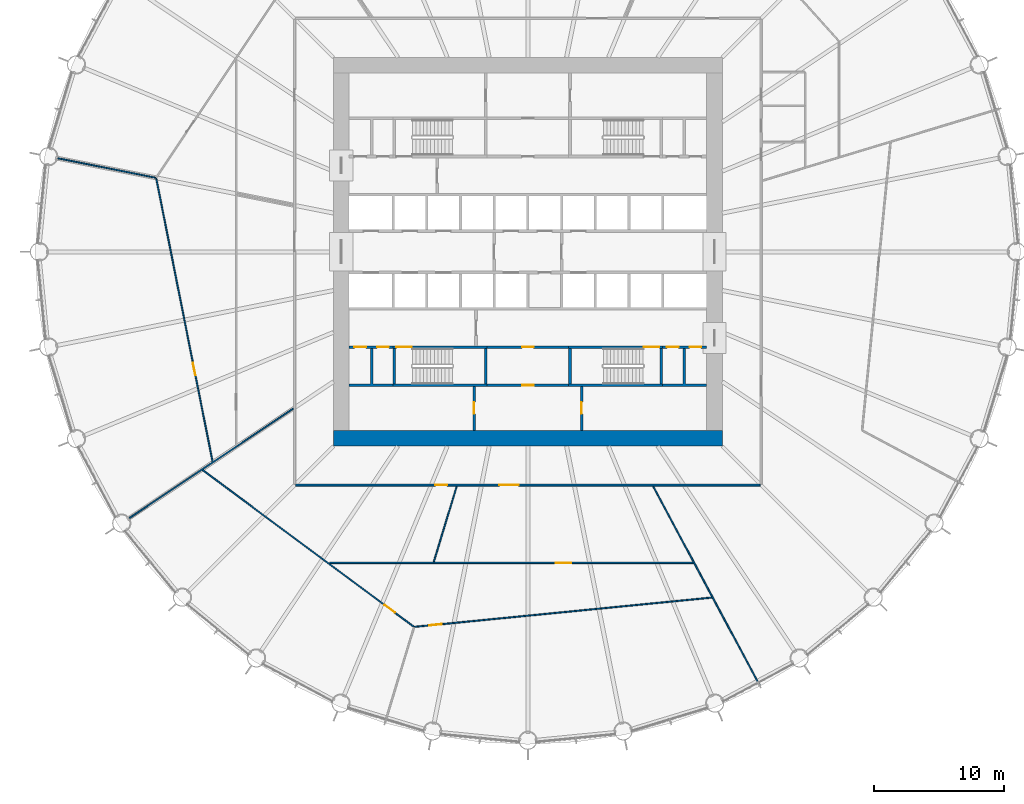
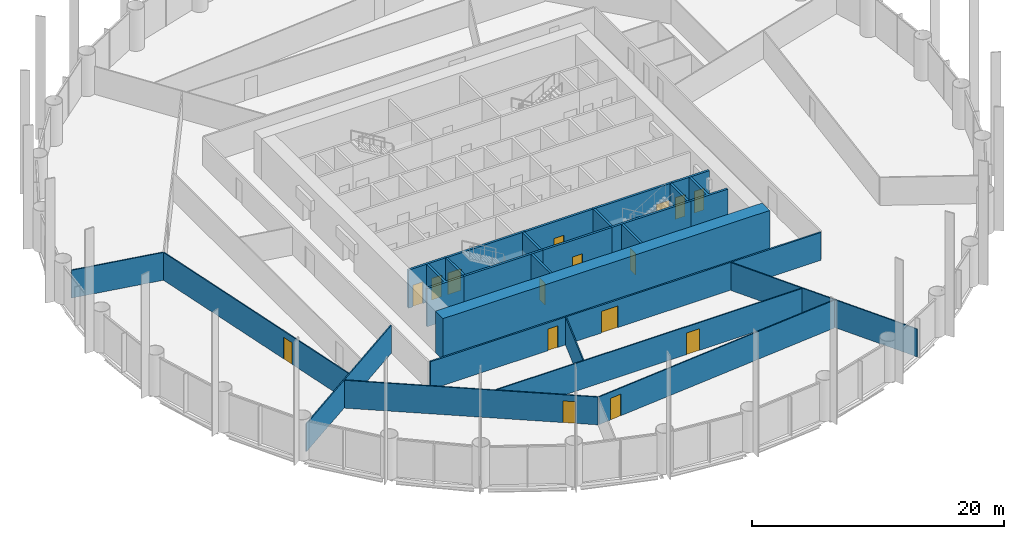
# One storey, part 9 of 14: 26 walls, 16 doors, 16 openings.
"""IFC4 building model written with IfcOpenShell, lengths in metres."""

import ifcopenshell
import ifcopenshell.guid

model = None  # the IFC model being written
_history = None  # IfcOwnerHistory: only IFC2X3 demands one
_inside = {}  # id of a spatial element -> (the spatial element, [elements in it])
_under = {}  # id of a project, library or spatial element -> (it, [spatial elements below it])
_declared = {}  # id of a project -> (the project, [libraries it declares])
_typed = {}  # id of a type object -> (the type object, [elements of that type])
_made_of = {}  # id of a material, layer set ... -> (it, [elements and type objects made of it])


def new_model(schema):
    """Start an empty IFC model of exactly this schema.

    Asked for "IFC4X3", IfcOpenShell would pick the latest addendum, in which some entities
    have other attributes; the version numbers below select the first issue.
    IFC2X3 requires an IfcOwnerHistory on every rooted entity: one is made here for all.
    """
    global model, _history
    if schema == "IFC4X3":
        model = ifcopenshell.file(schema_version=(4, 3, 0, 0))
    else:
        model = ifcopenshell.file(schema=schema)
    _inside.clear()
    _under.clear()
    _declared.clear()
    _typed.clear()
    _made_of.clear()
    _history = None
    if model.schema == "IFC2X3":
        org = make("IfcOrganization", Name="unknown")
        user = make(
            "IfcPersonAndOrganization",
            ThePerson=make("IfcPerson", FamilyName="unknown"),
            TheOrganization=org,
        )
        app = make(
            "IfcApplication",
            ApplicationDeveloper=org,
            Version="unknown",
            ApplicationFullName="unknown",
            ApplicationIdentifier="unknown",
        )
        _history = make(
            "IfcOwnerHistory",
            OwningUser=user,
            OwningApplication=app,
            ChangeAction="ADDED",
            CreationDate=0,
        )
    return model


def make(cls, **values):
    """One entity of the class cls with the attributes given. An attribute that is None is left unset."""
    return model.create_entity(
        cls, **{name: value for name, value in values.items() if value is not None}
    )


def rooted(cls, **values):
    """An entity with a GlobalId (a new one), such as an element, a storey or a relation."""
    return make(cls, GlobalId=ifcopenshell.guid.new(), OwnerHistory=_history, **values)


def si_unit(unit_type, name, prefix=None):
    """IfcSIUnit, for example si_unit("LENGTHUNIT", "METRE", prefix="MILLI")."""
    return make("IfcSIUnit", UnitType=unit_type, Prefix=prefix, Name=name)


def assignment(units):
    """IfcUnitAssignment: the units of a project."""
    return None if units is None else make("IfcUnitAssignment", Units=units)


def point(xyz):
    """IfcCartesianPoint."""
    return None if xyz is None else make("IfcCartesianPoint", Coordinates=xyz)


def direction(xyz):
    """IfcDirection."""
    return None if xyz is None else make("IfcDirection", DirectionRatios=xyz)


def frame(location, z_axis=None, x_axis=None):
    """IfcAxis2Placement3D, a coordinate frame: its origin and axes. An axis left out is left unset."""
    return make(
        "IfcAxis2Placement3D",
        Location=point(location),
        Axis=direction(z_axis),
        RefDirection=direction(x_axis),
    )


def frame_2d(location, x_axis=None):
    """IfcAxis2Placement2D, a coordinate frame in the plane: its origin and x axis."""
    return make(
        "IfcAxis2Placement2D", Location=point(location), RefDirection=direction(x_axis)
    )


def origin():
    """The frame at (0, 0, 0) with its axes left unset."""
    return frame((0.0, 0.0, 0.0))


def place(relative_to, where):
    """IfcLocalPlacement: puts the frame where relative to a parent placement (None: the world)."""
    return make(
        "IfcLocalPlacement", PlacementRelTo=relative_to, RelativePlacement=where
    )


def context(
    kind, dimensions, precision=None, world=None, true_north=None, identifier=None
):
    """IfcGeometricRepresentationContext, for example the 3D "Model" context."""
    return make(
        "IfcGeometricRepresentationContext",
        ContextIdentifier=identifier,
        ContextType=kind,
        CoordinateSpaceDimension=dimensions,
        Precision=precision,
        WorldCoordinateSystem=world,
        TrueNorth=true_north,
    )


def subcontext(parent, identifier, kind, view, scale=None):
    """IfcGeometricRepresentationSubContext, for example "Body" below "Model"."""
    return make(
        "IfcGeometricRepresentationSubContext",
        ContextIdentifier=identifier,
        ContextType=kind,
        ParentContext=parent,
        TargetScale=scale,
        TargetView=view,
    )


def project(units=None, contexts=None):
    """IfcProject with its units and contexts."""
    return rooted(
        "IfcProject",
        Name="project",
        RepresentationContexts=contexts,
        UnitsInContext=assignment(units),
    )


def spatial(cls, under=None, at=None, **own):
    """A site, building, storey or space (cls), placed at a placement, below another one or the project."""
    s = rooted(cls, ObjectPlacement=at, **own)
    if under is not None:
        _under.setdefault(under.id(), (under, []))[1].append(s)
    return s


def polyline(points):
    """IfcPolyline through the points."""
    return make("IfcPolyline", Points=[point(p) for p in points])


def profile(cls, at=None, kind="AREA", **sizes):
    """A parametric profile (cls). Its sizes go by their IFC names, for example OverallWidth=200.0."""
    return make(cls, ProfileType=kind, Position=at, **sizes)


def rectangle(**sizes):
    """IfcRectangleProfileDef."""
    return profile("IfcRectangleProfileDef", **sizes)


def outline(outer, holes=None, kind="AREA"):
    """IfcArbitraryClosedProfileDef: a profile drawn as a closed curve; with holes, ...WithVoids."""
    if holes is None:
        return make("IfcArbitraryClosedProfileDef", ProfileType=kind, OuterCurve=outer)
    return make(
        "IfcArbitraryProfileDefWithVoids",
        ProfileType=kind,
        OuterCurve=outer,
        InnerCurves=holes,
    )


def extrude(swept, where, along, depth):
    """IfcExtrudedAreaSolid: the profile swept, set in the frame where, extruded along a direction by depth."""
    return make(
        "IfcExtrudedAreaSolid",
        SweptArea=swept,
        Position=where,
        ExtrudedDirection=direction(along),
        Depth=depth,
    )


def shape(context_of_items, identifier, shape_type, items):
    """IfcShapeRepresentation: the items that make up one representation, for example the "Body"."""
    return make(
        "IfcShapeRepresentation",
        ContextOfItems=context_of_items,
        RepresentationIdentifier=identifier,
        RepresentationType=shape_type,
        Items=items,
    )


def material(Name=None, Category=None):
    """IfcMaterial."""
    return make("IfcMaterial", Name=Name, Category=Category)


def layer(
    of_material, thickness, ventilated=None, Name=None, Category=None, Priority=None
):
    """IfcMaterialLayer: one layer of a wall or slab, of a material (None: an air gap)."""
    return make(
        "IfcMaterialLayer",
        Material=of_material,
        LayerThickness=thickness,
        IsVentilated=ventilated,
        Name=Name,
        Category=Category,
        Priority=Priority,
    )


def layer_set(layers, Name=None):
    """IfcMaterialLayerSet."""
    return make("IfcMaterialLayerSet", MaterialLayers=layers, LayerSetName=Name)


def made_of(thing, what):
    """Note that an element or type object is made of a material, layer set ...; save() writes the relation."""
    if what is not None:
        _made_of.setdefault(what.id(), (what, []))[1].append(thing)
    return thing


def type_object(cls, material=None, **own):
    """A type object (cls), such as IfcWallType, which elements share."""
    return made_of(rooted(cls, **own), material)


def element(
    cls,
    number,
    at=None,
    inside=None,
    cuts=None,
    type_object=None,
    material=None,
    context=None,
    identifier="Body",
    shape_type=None,
    held_by="IfcProductDefinitionShape",
    body=None,
    shapes=None,
    **own,
):
    """One element of the class cls, such as IfcWall. Its Tag is "e" and its number.

    at: its placement. inside: the storey or other place that contains it. cuts: it is an
    opening in that element (IfcRelVoidsElement). A single representation is given by context,
    identifier, shape_type and body (its items); several are given by shapes. held_by: the class
    of the entity that holds the representations. save() writes the other relations.
    """
    e = rooted(cls, Tag="e%d" % number, ObjectPlacement=at, **own)
    if body is not None:
        shapes = [shape(context, identifier, shape_type, body)]
    if shapes is not None:
        e.Representation = make(held_by, Representations=shapes)
    if inside is not None:
        _inside.setdefault(inside.id(), (inside, []))[1].append(e)
    if cuts is not None:
        rooted(
            "IfcRelVoidsElement", RelatingBuildingElement=cuts, RelatedOpeningElement=e
        )
    if type_object is not None:
        _typed.setdefault(type_object.id(), (type_object, []))[1].append(e)
    return made_of(e, material)


def fill(opening, filler):
    """IfcRelFillsElement: the door or window that sits in an opening."""
    return rooted(
        "IfcRelFillsElement",
        RelatingOpeningElement=opening,
        RelatedBuildingElement=filler,
    )


def aggregate(whole, parts):
    """IfcRelAggregates: a whole, such as a stair, and the parts it consists of."""
    return rooted("IfcRelAggregates", RelatingObject=whole, RelatedObjects=parts)


def save(model, path):
    """Write the relations noted so far, then the file.

    IfcRelAggregates (storeys below a building ...), IfcRelContainedInSpatialStructure (elements
    in a storey), IfcRelDefinesByType, IfcRelAssociatesMaterial and IfcRelDeclares: one each for
    every whole, place, type object, material and project.
    """
    for whole, parts in _under.values():
        aggregate(whole, parts)
    for where, things in _inside.values():
        rooted(
            "IfcRelContainedInSpatialStructure",
            RelatedElements=things,
            RelatingStructure=where,
        )
    for kind, things in _typed.values():
        rooted("IfcRelDefinesByType", RelatedObjects=things, RelatingType=kind)
    for what, things in _made_of.values():
        rooted("IfcRelAssociatesMaterial", RelatedObjects=things, RelatingMaterial=what)
    for by, libraries in _declared.values():
        rooted("IfcRelDeclares", RelatingContext=by, RelatedDefinitions=libraries)
    model.write(path)


model = new_model("IFC4")

# Units and contexts
model_context = context("Model", 3, precision=1e-05, world=origin(), true_north=direction((0.0, 1.0)))
body_context = subcontext(model_context, "Body", "Model", "MODEL_VIEW")
ifc_project = project(units=[si_unit("LENGTHUNIT", "METRE"), si_unit("AREAUNIT", "SQUARE_METRE"), si_unit("VOLUMEUNIT", "CUBIC_METRE"), si_unit("PLANEANGLEUNIT", "RADIAN"), si_unit("MASSUNIT", "GRAM", prefix="KILO")], contexts=[model_context])

# Site, building, storey
site_placement = place(None, origin())
site = spatial("IfcSite", under=ifc_project, at=site_placement, CompositionType="ELEMENT")
building_placement = place(site_placement, origin())
building = spatial("IfcBuilding", under=site, at=building_placement, Name="Corvane Civic Tower", CompositionType="ELEMENT")
storey_placement = place(building_placement, frame((0.0, 0.0, 53.0)))
storey = spatial("IfcBuildingStorey", under=building, at=storey_placement, Name="L11", CompositionType="ELEMENT", Elevation=53.0)

# Wall
ifc_material_1 = material(Name="Concrete C80/95", Category="concrete")
ifc_layer_1 = layer(ifc_material_1, 1.199951171875)
ifc_layer_set_1 = layer_set([ifc_layer_1], Name="Concrete C80/95")
wall_type_1 = type_object("IfcWallType", Name="CORE WALL 1200 C80/95", PredefinedType="SHEAR", material=ifc_layer_set_1)
wall_1_placement = place(storey_placement, frame((-15.0, -14.39990234375, 0.0), z_axis=(0.0, 0.0, 1.0), x_axis=(1.0, 0.0, 0.0)))
element("IfcWall", 1, at=wall_1_placement, inside=storey, type_object=wall_type_1, Name="W-L11-core-S", PredefinedType="SHEAR", context=body_context, shape_type="SweptSolid", body=[
    extrude(rectangle(XDim=30.0, YDim=1.199951171875, at=frame_2d((15.0, 0.0))), origin(), (0.0, 0.0, 1.0), 4.0),
])

# Wall, opening, door
ifc_material_2 = material(Name="Concrete C30/37", Category="concrete")
ifc_layer_2 = layer(ifc_material_2, 0.199951171875)
ifc_layer_set_2 = layer_set([ifc_layer_2], Name="Concrete C30/37")
wall_type_2 = type_object("IfcWallType", Name="CR-WALL-200", PredefinedType="PARTITIONING", material=ifc_layer_set_2)
wall_2_placement = place(storey_placement, frame((-3.14990234375, -10.300048828125, 0.0), z_axis=(0.0, 0.0, 1.0), x_axis=(1.0, 0.0, 0.0)))
wall_2 = element("IfcWall", 2, at=wall_2_placement, inside=storey, type_object=wall_type_2, Name="L11 partition wall", PredefinedType="PARTITIONING", context=body_context, shape_type="SweptSolid", body=[
    extrude(rectangle(XDim=6.2998046875, YDim=0.199951171875, at=frame_2d((3.14990234375, 0.0))), origin(), (0.0, 0.0, 1.0), 3.699951171875),
])
opening_1_placement = place(wall_2_placement, frame((2.699951171875, 0.0, 0.0)))
opening_1 = element("IfcOpeningElement", 3, at=opening_1_placement, cuts=wall_2, Name="Opening L11.C08", PredefinedType="OPENING", context=body_context, shape_type="SweptSolid", body=[
    extrude(rectangle(XDim=0.89990234375, YDim=2.10009765625, at=frame_2d((0.449951171875, 1.050048828125))), frame((0.0, 0.10986328125, 0.0), z_axis=(0.0, -1.0, 0.0), x_axis=(1.0, 0.0, 0.0)), (0.0, 0.0, 1.0), 0.219970703125),
])
ifc_material_3 = material(Name="Steel fire door leaf", Category="steel")
door_type_1 = type_object("IfcDoorType", Name="CR-DOOR-900", OperationType="SINGLE_SWING_LEFT", PredefinedType="DOOR", material=ifc_material_3)
door_1_placement = place(opening_1_placement, origin())
door_1 = element("IfcDoor", 4, at=door_1_placement, inside=storey, type_object=door_type_1, Name="L11 door", OperationType="SINGLE_SWING_LEFT", OverallHeight=2.10009765625, OverallWidth=0.89990234375, PredefinedType="DOOR", context=body_context, shape_type="SweptSolid", body=[
    extrude(rectangle(XDim=0.89990234375, YDim=2.10009765625, at=frame_2d((0.449951171875, 1.050048828125))), frame((0.0, 0.02490234375, 0.0), z_axis=(0.0, -1.0, 0.0), x_axis=(1.0, 0.0, 0.0)), (0.0, 0.0, 1.0), 0.050048828125),
])
fill(opening_1, door_1)

# Wall, openings, doors
wall_3_placement = place(storey_placement, frame((-13.800048828125, -7.35009765625, 0.0), z_axis=(0.0, 0.0, 1.0), x_axis=(1.0, 0.0, 0.0)))
wall_3 = element("IfcWall", 5, at=wall_3_placement, inside=storey, type_object=wall_type_2, Name="L11 core partition wall", PredefinedType="PARTITIONING", context=body_context, shape_type="SweptSolid", body=[
    extrude(rectangle(XDim=3.400146484375, YDim=0.199951171875, at=frame_2d((1.7001953125, 0.0))), origin(), (0.0, 0.0, 1.0), 3.699951171875),
])
opening_2_placement = place(wall_3_placement, frame((0.425048828125, 0.0, 0.0)))
opening_2 = element("IfcOpeningElement", 6, at=opening_2_placement, cuts=wall_3, Name="Opening L11.C12", PredefinedType="OPENING", context=body_context, shape_type="SweptSolid", body=[
    extrude(rectangle(XDim=0.89990234375, YDim=2.10009765625, at=frame_2d((0.449951171875, 1.050048828125))), frame((0.0, 0.10986328125, 0.0), z_axis=(0.0, -1.0, 0.0), x_axis=(1.0, 0.0, 0.0)), (0.0, 0.0, 1.0), 0.219970703125),
])
opening_3_placement = place(wall_3_placement, frame((2.175048828125, 0.0, 0.0)))
opening_3 = element("IfcOpeningElement", 7, at=opening_3_placement, cuts=wall_3, Name="Opening L11.C13", PredefinedType="OPENING", context=body_context, shape_type="SweptSolid", body=[
    extrude(rectangle(XDim=0.89990234375, YDim=2.10009765625, at=frame_2d((0.449951171875, 1.050048828125))), frame((0.0, 0.10986328125, 0.0), z_axis=(0.0, -1.0, 0.0), x_axis=(1.0, 0.0, 0.0)), (0.0, 0.0, 1.0), 0.219970703125),
])
door_2_placement = place(opening_2_placement, origin())
door_2 = element("IfcDoor", 8, at=door_2_placement, inside=storey, type_object=door_type_1, Name="L11 door", OperationType="SINGLE_SWING_LEFT", OverallHeight=2.10009765625, OverallWidth=0.89990234375, PredefinedType="DOOR", context=body_context, shape_type="SweptSolid", body=[
    extrude(rectangle(XDim=0.89990234375, YDim=2.10009765625, at=frame_2d((0.449951171875, 1.050048828125))), frame((0.0, 0.02490234375, 0.0), z_axis=(0.0, -1.0, 0.0), x_axis=(1.0, 0.0, 0.0)), (0.0, 0.0, 1.0), 0.050048828125),
])
fill(opening_2, door_2)
door_3_placement = place(opening_3_placement, origin())
door_3 = element("IfcDoor", 9, at=door_3_placement, inside=storey, type_object=door_type_1, Name="L11 door", OperationType="SINGLE_SWING_LEFT", OverallHeight=2.10009765625, OverallWidth=0.89990234375, PredefinedType="DOOR", context=body_context, shape_type="SweptSolid", body=[
    extrude(rectangle(XDim=0.89990234375, YDim=2.10009765625, at=frame_2d((0.449951171875, 1.050048828125))), frame((0.0, 0.02490234375, 0.0), z_axis=(0.0, -1.0, 0.0), x_axis=(1.0, 0.0, 0.0)), (0.0, 0.0, 1.0), 0.050048828125),
])
fill(opening_3, door_3)

# Wall, opening, door
wall_4_placement = place(storey_placement, frame((-3.14990234375, -7.35009765625, 0.0), z_axis=(0.0, 0.0, 1.0), x_axis=(1.0, 0.0, 0.0)))
wall_4 = element("IfcWall", 10, at=wall_4_placement, inside=storey, type_object=wall_type_2, Name="L11 core partition wall", PredefinedType="PARTITIONING", context=body_context, shape_type="SweptSolid", body=[
    extrude(rectangle(XDim=6.2998046875, YDim=0.199951171875, at=frame_2d((3.14990234375, 0.0))), origin(), (0.0, 0.0, 1.0), 3.699951171875),
])
opening_4_placement = place(wall_4_placement, frame((2.699951171875, 0.0, 0.0)))
opening_4 = element("IfcOpeningElement", 11, at=opening_4_placement, cuts=wall_4, Name="Opening L11.C03", PredefinedType="OPENING", context=body_context, shape_type="SweptSolid", body=[
    extrude(rectangle(XDim=0.89990234375, YDim=2.10009765625, at=frame_2d((0.449951171875, 1.050048828125))), frame((0.0, 0.10986328125, 0.0), z_axis=(0.0, -1.0, 0.0), x_axis=(1.0, 0.0, 0.0)), (0.0, 0.0, 1.0), 0.219970703125),
])
door_4_placement = place(opening_4_placement, origin())
door_4 = element("IfcDoor", 12, at=door_4_placement, inside=storey, type_object=door_type_1, Name="L11 door", OperationType="SINGLE_SWING_LEFT", OverallHeight=2.10009765625, OverallWidth=0.89990234375, PredefinedType="DOOR", context=body_context, shape_type="SweptSolid", body=[
    extrude(rectangle(XDim=0.89990234375, YDim=2.10009765625, at=frame_2d((0.449951171875, 1.050048828125))), frame((0.0, 0.02490234375, 0.0), z_axis=(0.0, -1.0, 0.0), x_axis=(1.0, 0.0, 0.0)), (0.0, 0.0, 1.0), 0.050048828125),
])
fill(opening_4, door_4)

# Wall, openings, doors
wall_5_placement = place(storey_placement, frame((10.39990234375, -7.35009765625, 0.0), z_axis=(0.0, 0.0, 1.0), x_axis=(1.0, 0.0, 0.0)))
wall_5 = element("IfcWall", 13, at=wall_5_placement, inside=storey, type_object=wall_type_2, Name="L11 core partition wall", PredefinedType="PARTITIONING", context=body_context, shape_type="SweptSolid", body=[
    extrude(rectangle(XDim=3.400146484375, YDim=0.199951171875, at=frame_2d((1.7001953125, 0.0))), origin(), (0.0, 0.0, 1.0), 3.699951171875),
])
opening_5_placement = place(wall_5_placement, frame((0.324951171875, 0.0, 0.0)))
opening_5 = element("IfcOpeningElement", 14, at=opening_5_placement, cuts=wall_5, Name="Opening L11.C16", PredefinedType="OPENING", context=body_context, shape_type="SweptSolid", body=[
    extrude(rectangle(XDim=0.89990234375, YDim=2.10009765625, at=frame_2d((0.449951171875, 1.050048828125))), frame((0.0, 0.10986328125, 0.0), z_axis=(0.0, -1.0, 0.0), x_axis=(1.0, 0.0, 0.0)), (0.0, 0.0, 1.0), 0.219970703125),
])
opening_6_placement = place(wall_5_placement, frame((2.074951171875, 0.0, 0.0)))
opening_6 = element("IfcOpeningElement", 15, at=opening_6_placement, cuts=wall_5, Name="Opening L11.C17", PredefinedType="OPENING", context=body_context, shape_type="SweptSolid", body=[
    extrude(rectangle(XDim=0.89990234375, YDim=2.10009765625, at=frame_2d((0.449951171875, 1.050048828125))), frame((0.0, 0.10986328125, 0.0), z_axis=(0.0, -1.0, 0.0), x_axis=(1.0, 0.0, 0.0)), (0.0, 0.0, 1.0), 0.219970703125),
])
door_5_placement = place(opening_5_placement, origin())
door_5 = element("IfcDoor", 16, at=door_5_placement, inside=storey, type_object=door_type_1, Name="L11 door", OperationType="SINGLE_SWING_LEFT", OverallHeight=2.10009765625, OverallWidth=0.89990234375, PredefinedType="DOOR", context=body_context, shape_type="SweptSolid", body=[
    extrude(rectangle(XDim=0.89990234375, YDim=2.10009765625, at=frame_2d((0.449951171875, 1.050048828125))), frame((0.0, 0.02490234375, 0.0), z_axis=(0.0, -1.0, 0.0), x_axis=(1.0, 0.0, 0.0)), (0.0, 0.0, 1.0), 0.050048828125),
])
fill(opening_5, door_5)
door_6_placement = place(opening_6_placement, origin())
door_6 = element("IfcDoor", 17, at=door_6_placement, inside=storey, type_object=door_type_1, Name="L11 door", OperationType="SINGLE_SWING_LEFT", OverallHeight=2.10009765625, OverallWidth=0.89990234375, PredefinedType="DOOR", context=body_context, shape_type="SweptSolid", body=[
    extrude(rectangle(XDim=0.89990234375, YDim=2.10009765625, at=frame_2d((0.449951171875, 1.050048828125))), frame((0.0, 0.02490234375, 0.0), z_axis=(0.0, -1.0, 0.0), x_axis=(1.0, 0.0, 0.0)), (0.0, 0.0, 1.0), 0.050048828125),
])
fill(opening_6, door_6)

# Wall, opening, door
wall_6_placement = place(storey_placement, frame((-4.14990234375, -13.800048828125, 0.0), z_axis=(0.0, 0.0, 1.0), x_axis=(0.0, 1.0, 0.0)))
wall_6 = element("IfcWall", 18, at=wall_6_placement, inside=storey, type_object=wall_type_2, Name="L11 partition wall", PredefinedType="PARTITIONING", context=body_context, shape_type="SweptSolid", body=[
    extrude(rectangle(XDim=3.400146484375, YDim=0.199951171875, at=frame_2d((1.7001953125, 0.0))), origin(), (0.0, 0.0, 1.0), 3.699951171875),
])
opening_7_placement = place(wall_6_placement, frame((1.300048828125, 0.0, 0.0)))
opening_7 = element("IfcOpeningElement", 19, at=opening_7_placement, cuts=wall_6, Name="Opening L11.C07", PredefinedType="OPENING", context=body_context, shape_type="SweptSolid", body=[
    extrude(rectangle(XDim=0.89990234375, YDim=2.10009765625, at=frame_2d((0.449951171875, 1.050048828125))), frame((0.0, 0.10986328125, 0.0), z_axis=(0.0, -1.0, 0.0), x_axis=(1.0, 0.0, 0.0)), (0.0, 0.0, 1.0), 0.219970703125),
])
door_7_placement = place(opening_7_placement, origin())
door_7 = element("IfcDoor", 20, at=door_7_placement, inside=storey, type_object=door_type_1, Name="L11 door", OperationType="SINGLE_SWING_LEFT", OverallHeight=2.10009765625, OverallWidth=0.89990234375, PredefinedType="DOOR", context=body_context, shape_type="SweptSolid", body=[
    extrude(rectangle(XDim=0.89990234375, YDim=2.10009765625, at=frame_2d((0.449951171875, 1.050048828125))), frame((0.0, 0.02490234375, 0.0), z_axis=(0.0, -1.0, 0.0), x_axis=(1.0, 0.0, 0.0)), (0.0, 0.0, 1.0), 0.050048828125),
])
fill(opening_7, door_7)

wall_7_placement = place(storey_placement, frame((4.14990234375, -13.800048828125, 0.0), z_axis=(0.0, 0.0, 1.0), x_axis=(0.0, 1.0, 0.0)))
wall_7 = element("IfcWall", 21, at=wall_7_placement, inside=storey, type_object=wall_type_2, Name="L11 partition wall", PredefinedType="PARTITIONING", context=body_context, shape_type="SweptSolid", body=[
    extrude(rectangle(XDim=3.400146484375, YDim=0.199951171875, at=frame_2d((1.7001953125, 0.0))), origin(), (0.0, 0.0, 1.0), 3.699951171875),
])
opening_8_placement = place(wall_7_placement, frame((1.300048828125, 0.0, 0.0)))
opening_8 = element("IfcOpeningElement", 22, at=opening_8_placement, cuts=wall_7, Name="Opening L11.C09", PredefinedType="OPENING", context=body_context, shape_type="SweptSolid", body=[
    extrude(rectangle(XDim=0.89990234375, YDim=2.10009765625, at=frame_2d((0.449951171875, 1.050048828125))), frame((0.0, 0.10986328125, 0.0), z_axis=(0.0, -1.0, 0.0), x_axis=(1.0, 0.0, 0.0)), (0.0, 0.0, 1.0), 0.219970703125),
])
door_8_placement = place(opening_8_placement, origin())
door_8 = element("IfcDoor", 23, at=door_8_placement, inside=storey, type_object=door_type_1, Name="L11 door", OperationType="SINGLE_SWING_LEFT", OverallHeight=2.10009765625, OverallWidth=0.89990234375, PredefinedType="DOOR", context=body_context, shape_type="SweptSolid", body=[
    extrude(rectangle(XDim=0.89990234375, YDim=2.10009765625, at=frame_2d((0.449951171875, 1.050048828125))), frame((0.0, 0.02490234375, 0.0), z_axis=(0.0, -1.0, 0.0), x_axis=(1.0, 0.0, 0.0)), (0.0, 0.0, 1.0), 0.050048828125),
])
fill(opening_8, door_8)

# Walls
wall_8_placement = place(storey_placement, origin())
element("IfcWall", 24, at=wall_8_placement, inside=storey, type_object=wall_type_2, Name="L11 core partition wall", PredefinedType="PARTITIONING", context=body_context, shape_type="SweptSolid", body=[
    extrude(outline(polyline([(-12.14990234375, -7.449951171875), (-11.949951171875, -7.449951171875), (-11.949951171875, -10.199951171875), (-10.39990234375, -10.199951171875), (-10.39990234375, -10.39990234375), (-13.800048828125, -10.39990234375), (-13.800048828125, -10.199951171875), (-12.14990234375, -10.199951171875), (-12.14990234375, -7.449951171875)])), origin(), (0.0, 0.0, 1.0), 3.699951171875),
])
wall_9_placement = place(storey_placement, origin())
element("IfcWall", 25, at=wall_9_placement, inside=storey, type_object=wall_type_2, Name="L11 core partition wall", PredefinedType="PARTITIONING", context=body_context, shape_type="SweptSolid", body=[
    extrude(outline(polyline([(11.949951171875, -7.449951171875), (12.14990234375, -7.449951171875), (12.14990234375, -10.199951171875), (13.800048828125, -10.199951171875), (13.800048828125, -10.39990234375), (10.39990234375, -10.39990234375), (10.39990234375, -10.199951171875), (11.949951171875, -10.199951171875), (11.949951171875, -7.449951171875)])), origin(), (0.0, 0.0, 1.0), 3.699951171875),
])
ifc_material_4 = material(Name="Plasterboard")
ifc_layer_3 = layer(ifc_material_4, 0.10009765625)
ifc_layer_set_3 = layer_set([ifc_layer_3], Name="Plasterboard")
wall_type_3 = type_object("IfcWallType", Name="Partition 100 plasterboard on studs", PredefinedType="PARTITIONING", material=ifc_layer_set_3)
wall_10_placement = place(storey_placement, frame((9.673828125, -18.0986328125, 0.0), z_axis=(0.0, 0.0, 1.0), x_axis=(0.471405261517, -0.881916707753, 0.0)))
element("IfcWall", 26, at=wall_10_placement, inside=storey, type_object=wall_type_3, Name="Partition L11.002", PredefinedType="PARTITIONING", context=body_context, shape_type="SweptSolid", body=[
    extrude(rectangle(XDim=17.428466796875, YDim=0.10009765625, at=frame_2d((8.71435546875, 0.0))), origin(), (0.0, 0.0, 1.0), 2.699951171875),
])

# Wall, opening, door
wall_11_placement = place(storey_placement, frame((-8.7451171875, -28.935546875, 0.0), z_axis=(0.0, 0.0, 1.0), x_axis=(0.99518455634, 0.098018869726, 0.0)))
wall_11 = element("IfcWall", 27, at=wall_11_placement, inside=storey, type_object=wall_type_3, Name="Partition L11.003", PredefinedType="PARTITIONING", context=body_context, shape_type="SweptSolid", body=[
    extrude(rectangle(XDim=23.036865234375, YDim=0.10009765625, at=frame_2d((11.5185546875, 0.0))), origin(), (0.0, 0.0, 1.0), 2.699951171875),
])
opening_9_placement = place(wall_11_placement, frame((1.12841796875, 0.0, 0.0)))
opening_9 = element("IfcOpeningElement", 28, at=opening_9_placement, cuts=wall_11, Name="Opening L11.011", PredefinedType="OPENING", context=body_context, shape_type="SweptSolid", body=[
    extrude(rectangle(XDim=1.0, YDim=2.10009765625, at=frame_2d((0.5, 1.050048828125))), frame((0.0, 0.06005859375, 0.0), z_axis=(0.0, -1.0, 0.0), x_axis=(1.0, 0.0, 0.0)), (0.0, 0.0, 1.0), 0.1201171875),
])
ifc_material_5 = material(Name="Timber", Category="wood")
door_type_2 = type_object("IfcDoorType", Name="Single door 1000", OperationType="NOTDEFINED", PredefinedType="DOOR", material=ifc_material_5)
door_9_placement = place(opening_9_placement, frame((1.0, 0.0, 0.0), z_axis=(0.0, 0.0, 1.0), x_axis=(-1.0, 0.0, 0.0)))
door_9 = element("IfcDoor", 29, at=door_9_placement, inside=storey, type_object=door_type_2, Name="Door L11.011", OperationType="SINGLE_SWING_LEFT", OverallHeight=2.10009765625, OverallWidth=1.0, PredefinedType="DOOR", context=body_context, shape_type="SweptSolid", body=[
    extrude(rectangle(XDim=1.0, YDim=2.10009765625, at=frame_2d((0.5, 1.050048828125))), frame((0.0, 0.02490234375, 0.0), z_axis=(0.0, -1.0, 0.0), x_axis=(1.0, 0.0, 0.0)), (0.0, 0.0, 1.0), 0.050048828125),
])
fill(opening_9, door_9)

wall_12_placement = place(storey_placement, frame((-25.08740234375, -16.84326171875, 0.0), z_axis=(0.0, 0.0, 1.0), x_axis=(0.803207339444, -0.595699563423, 0.0)))
wall_12 = element("IfcWall", 30, at=wall_12_placement, inside=storey, type_object=wall_type_3, Name="Partition L11.004", PredefinedType="PARTITIONING", context=body_context, shape_type="SweptSolid", body=[
    extrude(rectangle(XDim=20.269287109375, YDim=0.10009765625, at=frame_2d((10.134765625, 0.0))), origin(), (0.0, 0.0, 1.0), 2.699951171875),
])
opening_10_placement = place(wall_12_placement, frame((17.458984375, 0.0, 0.0)))
opening_10 = element("IfcOpeningElement", 31, at=opening_10_placement, cuts=wall_12, Name="Opening L11.012", PredefinedType="OPENING", context=body_context, shape_type="SweptSolid", body=[
    extrude(rectangle(XDim=1.0, YDim=2.10009765625, at=frame_2d((0.5, 1.050048828125))), frame((0.0, 0.06005859375, 0.0), z_axis=(0.0, -1.0, 0.0), x_axis=(1.0, 0.0, 0.0)), (0.0, 0.0, 1.0), 0.1201171875),
])
door_10_placement = place(opening_10_placement, frame((1.0, 0.0, 0.0), z_axis=(0.0, 0.0, 1.0), x_axis=(-1.0, 0.0, 0.0)))
door_10 = element("IfcDoor", 32, at=door_10_placement, inside=storey, type_object=door_type_2, Name="Door L11.012", OperationType="SINGLE_SWING_RIGHT", OverallHeight=2.10009765625, OverallWidth=1.0, PredefinedType="DOOR", context=body_context, shape_type="SweptSolid", body=[
    extrude(rectangle(XDim=1.0, YDim=2.10009765625, at=frame_2d((0.5, 1.050048828125))), frame((0.0, 0.02490234375, 0.0), z_axis=(0.0, -1.0, 0.0), x_axis=(1.0, 0.0, 0.0)), (0.0, 0.0, 1.0), 0.050048828125),
])
fill(opening_10, door_10)

wall_13_placement = place(storey_placement, frame((-15.286376953125, -24.0, 0.0), z_axis=(0.0, 0.0, 1.0), x_axis=(1.0, 0.0, 0.0)))
wall_13 = element("IfcWall", 33, at=wall_13_placement, inside=storey, type_object=wall_type_3, Name="Partition L11.005", PredefinedType="PARTITIONING", context=body_context, shape_type="SweptSolid", body=[
    extrude(rectangle(XDim=28.03125, YDim=0.10009765625, at=frame_2d((14.015625, 0.0))), origin(), (0.0, 0.0, 1.0), 2.699951171875),
])
opening_11_placement = place(wall_13_placement, frame((17.423583984375, 0.0, 0.0)))
opening_11 = element("IfcOpeningElement", 34, at=opening_11_placement, cuts=wall_13, Name="Opening L11.013", PredefinedType="OPENING", context=body_context, shape_type="SweptSolid", body=[
    extrude(rectangle(XDim=1.199951171875, YDim=2.10009765625, at=frame_2d((0.60009765625, 1.050048828125))), frame((0.0, 0.06005859375, 0.0), z_axis=(0.0, -1.0, 0.0), x_axis=(1.0, 0.0, 0.0)), (0.0, 0.0, 1.0), 0.1201171875),
])
ifc_material_6 = material(Name="Timber", Category="wood")
door_type_3 = type_object("IfcDoorType", Name="Double door 1200", OperationType="NOTDEFINED", PredefinedType="DOOR", material=ifc_material_6)
door_11_placement = place(opening_11_placement, frame((1.199951171875, 0.0, 0.0), z_axis=(0.0, 0.0, 1.0), x_axis=(-1.0, 0.0, 0.0)))
door_11 = element("IfcDoor", 35, at=door_11_placement, inside=storey, type_object=door_type_3, Name="Door L11.013", OperationType="DOUBLE_DOOR_SINGLE_SWING", OverallHeight=2.10009765625, OverallWidth=1.199951171875, PredefinedType="DOOR", context=body_context, shape_type="SweptSolid", body=[
    extrude(rectangle(XDim=1.199951171875, YDim=2.10009765625, at=frame_2d((0.60009765625, 1.050048828125))), frame((0.0, 0.02490234375, 0.0), z_axis=(0.0, -1.0, 0.0), x_axis=(1.0, 0.0, 0.0)), (0.0, 0.0, 1.0), 0.050048828125),
])
fill(opening_11, door_11)

# Walls
wall_14_placement = place(storey_placement, frame((-7.2607421875, -23.935546875, 0.0), z_axis=(0.0, 0.0, 1.0), x_axis=(0.290297985897, 0.956936298499, 0.0)))
element("IfcWall", 36, at=wall_14_placement, inside=storey, type_object=wall_type_3, Name="Partition L11.006", PredefinedType="PARTITIONING", context=body_context, shape_type="SweptSolid", body=[
    extrude(rectangle(XDim=6.109130859375, YDim=0.10009765625, at=frame_2d((3.0546875, 0.0))), origin(), (0.0, 0.0, 1.0), 2.699951171875),
])
wall_15_placement = place(storey_placement, frame((-30.756103515625, -20.550537109375, 0.0), z_axis=(0.0, 0.0, 1.0), x_axis=(0.83147229833, 0.555566213074, 0.0)))
element("IfcWall", 37, at=wall_15_placement, inside=storey, type_object=wall_type_3, Name="Partition L11.007", PredefinedType="PARTITIONING", context=body_context, shape_type="SweptSolid", body=[
    extrude(rectangle(XDim=15.218017578125, YDim=0.10009765625, at=frame_2d((7.60888671875, 0.0))), origin(), (0.0, 0.0, 1.0), 2.699951171875),
])

# Wall, opening, door
wall_16_placement = place(storey_placement, frame((-28.67138671875, 5.671630859375, 0.0), z_axis=(0.0, 0.0, 1.0), x_axis=(0.195095693694, -0.980784211895, 0.0)))
wall_16 = element("IfcWall", 38, at=wall_16_placement, inside=storey, type_object=wall_type_3, Name="Partition L11.012", PredefinedType="PARTITIONING", context=body_context, shape_type="SweptSolid", body=[
    extrude(rectangle(XDim=22.27099609375, YDim=0.10009765625, at=frame_2d((11.135498046875, 0.0))), origin(), (0.0, 0.0, 1.0), 2.699951171875),
])
opening_12_placement = place(wall_16_placement, frame((14.500244140625, 0.0, 0.0)))
opening_12 = element("IfcOpeningElement", 39, at=opening_12_placement, cuts=wall_16, Name="Opening L11.016", PredefinedType="OPENING", context=body_context, shape_type="SweptSolid", body=[
    extrude(rectangle(XDim=1.0, YDim=2.10009765625, at=frame_2d((0.5, 1.050048828125))), frame((0.0, 0.06005859375, 0.0), z_axis=(0.0, -1.0, 0.0), x_axis=(1.0, 0.0, 0.0)), (0.0, 0.0, 1.0), 0.1201171875),
])
door_12_placement = place(opening_12_placement, frame((1.0, 0.0, 0.0), z_axis=(0.0, 0.0, 1.0), x_axis=(-1.0, 0.0, 0.0)))
door_12 = element("IfcDoor", 40, at=door_12_placement, inside=storey, type_object=door_type_2, Name="Door L11.016", OperationType="SINGLE_SWING_LEFT", OverallHeight=2.10009765625, OverallWidth=1.0, PredefinedType="DOOR", context=body_context, shape_type="SweptSolid", body=[
    extrude(rectangle(XDim=1.0, YDim=2.10009765625, at=frame_2d((0.5, 1.050048828125))), frame((0.0, 0.02490234375, 0.0), z_axis=(0.0, -1.0, 0.0), x_axis=(1.0, 0.0, 0.0)), (0.0, 0.0, 1.0), 0.050048828125),
])
fill(opening_12, door_12)

# Wall
wall_17_placement = place(storey_placement, frame((-36.279296875, 7.21630859375, 0.0), z_axis=(0.0, 0.0, 1.0), x_axis=(0.980788199921, -0.195075644035, 0.0)))
element("IfcWall", 41, at=wall_17_placement, inside=storey, type_object=wall_type_3, Name="Partition L11.017", PredefinedType="PARTITIONING", context=body_context, shape_type="SweptSolid", body=[
    extrude(rectangle(XDim=7.716796875, YDim=0.10009765625, at=frame_2d((3.8583984375, 0.0))), origin(), (0.0, 0.0, 1.0), 2.699951171875),
])

# Wall, opening, door
ifc_material_7 = material(Name="Concrete C50/60", Category="concrete")
ifc_layer_4 = layer(ifc_material_7, 0.199951171875)
ifc_layer_set_4 = layer_set([ifc_layer_4], Name="Concrete C50/60")
wall_type_4 = type_object("IfcWallType", Name="ST-WALL-200", PredefinedType="SHEAR", material=ifc_layer_set_4)
wall_18_placement = place(storey_placement, frame((-10.39990234375, -7.35009765625, 0.0), z_axis=(0.0, 0.0, 1.0), x_axis=(1.0, 0.0, 0.0)))
wall_18 = element("IfcWall", 42, at=wall_18_placement, inside=storey, type_object=wall_type_4, Name="L11 stair enclosure wall", PredefinedType="SHEAR", context=body_context, shape_type="SweptSolid", body=[
    extrude(rectangle(XDim=7.25, YDim=0.199951171875, at=frame_2d((3.625, 0.0))), origin(), (0.0, 0.0, 1.0), 3.699951171875),
])
opening_13_placement = place(wall_18_placement, frame((0.25, 0.0, 0.0)))
opening_13 = element("IfcOpeningElement", 43, at=opening_13_placement, cuts=wall_18, Name="Opening L11.C21", PredefinedType="OPENING", context=body_context, shape_type="SweptSolid", body=[
    extrude(rectangle(XDim=1.199951171875, YDim=2.10009765625, at=frame_2d((0.60009765625, 1.050048828125))), frame((0.0, 0.10986328125, 0.0), z_axis=(0.0, -1.0, 0.0), x_axis=(1.0, 0.0, 0.0)), (0.0, 0.0, 1.0), 0.219970703125),
])
ifc_material_8 = material(Name="Steel fire door leaf", Category="steel")
door_type_4 = type_object("IfcDoorType", Name="ST-DOOR-1200", OperationType="SINGLE_SWING_RIGHT", PredefinedType="DOOR", material=ifc_material_8)
door_13_placement = place(opening_13_placement, origin())
door_13 = element("IfcDoor", 44, at=door_13_placement, inside=storey, type_object=door_type_4, Name="L11 stair door", OperationType="SINGLE_SWING_RIGHT", OverallHeight=2.10009765625, OverallWidth=1.199951171875, PredefinedType="DOOR", context=body_context, shape_type="SweptSolid", body=[
    extrude(rectangle(XDim=1.199951171875, YDim=2.10009765625, at=frame_2d((0.60009765625, 1.050048828125))), frame((0.0, 0.02490234375, 0.0), z_axis=(0.0, -1.0, 0.0), x_axis=(1.0, 0.0, 0.0)), (0.0, 0.0, 1.0), 0.050048828125),
])
fill(opening_13, door_13)

wall_19_placement = place(storey_placement, frame((3.14990234375, -7.35009765625, 0.0), z_axis=(0.0, 0.0, 1.0), x_axis=(1.0, 0.0, 0.0)))
wall_19 = element("IfcWall", 45, at=wall_19_placement, inside=storey, type_object=wall_type_4, Name="L11 stair enclosure wall", PredefinedType="SHEAR", context=body_context, shape_type="SweptSolid", body=[
    extrude(rectangle(XDim=7.25, YDim=0.199951171875, at=frame_2d((3.625, 0.0))), origin(), (0.0, 0.0, 1.0), 3.699951171875),
])
opening_14_placement = place(wall_19_placement, frame((5.800048828125, 0.0, 0.0)))
opening_14 = element("IfcOpeningElement", 46, at=opening_14_placement, cuts=wall_19, Name="Opening L11.C20", PredefinedType="OPENING", context=body_context, shape_type="SweptSolid", body=[
    extrude(rectangle(XDim=1.199951171875, YDim=2.10009765625, at=frame_2d((0.60009765625, 1.050048828125))), frame((0.0, 0.10986328125, 0.0), z_axis=(0.0, -1.0, 0.0), x_axis=(1.0, 0.0, 0.0)), (0.0, 0.0, 1.0), 0.219970703125),
])
door_14_placement = place(opening_14_placement, origin())
door_14 = element("IfcDoor", 47, at=door_14_placement, inside=storey, type_object=door_type_4, Name="L11 stair door", OperationType="SINGLE_SWING_RIGHT", OverallHeight=2.10009765625, OverallWidth=1.199951171875, PredefinedType="DOOR", context=body_context, shape_type="SweptSolid", body=[
    extrude(rectangle(XDim=1.199951171875, YDim=2.10009765625, at=frame_2d((0.60009765625, 1.050048828125))), frame((0.0, 0.02490234375, 0.0), z_axis=(0.0, -1.0, 0.0), x_axis=(1.0, 0.0, 0.0)), (0.0, 0.0, 1.0), 0.050048828125),
])
fill(opening_14, door_14)

# Walls
wall_20_placement = place(storey_placement, origin())
element("IfcWall", 48, at=wall_20_placement, inside=storey, type_object=wall_type_4, Name="L11 stair enclosure wall", PredefinedType="SHEAR", context=body_context, shape_type="SweptSolid", body=[
    extrude(outline(polyline([(-3.14990234375, -10.199951171875), (-3.14990234375, -10.39990234375), (-10.39990234375, -10.39990234375), (-10.39990234375, -10.199951171875), (-3.14990234375, -10.199951171875)])), origin(), (0.0, 0.0, 1.0), 3.699951171875),
])
wall_21_placement = place(storey_placement, origin())
element("IfcWall", 49, at=wall_21_placement, inside=storey, type_object=wall_type_4, Name="L11 stair enclosure wall", PredefinedType="SHEAR", context=body_context, shape_type="SweptSolid", body=[
    extrude(outline(polyline([(10.39990234375, -10.39990234375), (3.14990234375, -10.39990234375), (3.14990234375, -10.199951171875), (10.39990234375, -10.199951171875), (10.39990234375, -10.39990234375)])), origin(), (0.0, 0.0, 1.0), 3.699951171875),
])
wall_22_placement = place(storey_placement, origin())
element("IfcWall", 50, at=wall_22_placement, inside=storey, type_object=wall_type_4, Name="L11 stair enclosure wall", PredefinedType="SHEAR", context=body_context, shape_type="SweptSolid", body=[
    extrude(outline(polyline([(-3.14990234375, -7.449951171875), (-3.14990234375, -10.199951171875), (-3.35009765625, -10.199951171875), (-3.35009765625, -7.449951171875), (-3.14990234375, -7.449951171875)])), origin(), (0.0, 0.0, 1.0), 3.699951171875),
])
wall_23_placement = place(storey_placement, origin())
element("IfcWall", 51, at=wall_23_placement, inside=storey, type_object=wall_type_4, Name="L11 stair enclosure wall", PredefinedType="SHEAR", context=body_context, shape_type="SweptSolid", body=[
    extrude(outline(polyline([(3.35009765625, -7.449951171875), (3.35009765625, -10.199951171875), (3.14990234375, -10.199951171875), (3.14990234375, -7.449951171875), (3.35009765625, -7.449951171875)])), origin(), (0.0, 0.0, 1.0), 3.699951171875),
])
wall_24_placement = place(storey_placement, origin())
element("IfcWall", 52, at=wall_24_placement, inside=storey, type_object=wall_type_4, Name="L11 stair enclosure wall", PredefinedType="SHEAR", context=body_context, shape_type="SweptSolid", body=[
    extrude(outline(polyline([(-10.199951171875, -7.449951171875), (-10.199951171875, -10.199951171875), (-10.39990234375, -10.199951171875), (-10.39990234375, -7.449951171875), (-10.199951171875, -7.449951171875)])), origin(), (0.0, 0.0, 1.0), 3.699951171875),
])
wall_25_placement = place(storey_placement, origin())
element("IfcWall", 53, at=wall_25_placement, inside=storey, type_object=wall_type_4, Name="L11 stair enclosure wall", PredefinedType="SHEAR", context=body_context, shape_type="SweptSolid", body=[
    extrude(outline(polyline([(10.39990234375, -7.449951171875), (10.39990234375, -10.199951171875), (10.199951171875, -10.199951171875), (10.199951171875, -7.449951171875), (10.39990234375, -7.449951171875)])), origin(), (0.0, 0.0, 1.0), 3.699951171875),
])

# Wall, openings, doors
ifc_material_9 = material(Name="Plasterboard")
ifc_layer_5 = layer(ifc_material_9, 0.14990234375)
ifc_layer_set_5 = layer_set([ifc_layer_5], Name="Plasterboard")
wall_type_5 = type_object("IfcWallType", Name="Tenancy wall 150 EI 60", PredefinedType="PARTITIONING", material=ifc_layer_set_5)
wall_26_placement = place(storey_placement, frame((-17.925048828125, -18.0, 0.0), z_axis=(0.0, 0.0, 1.0), x_axis=(1.0, 0.0, 0.0)))
wall_26 = element("IfcWall", 54, at=wall_26_placement, inside=storey, type_object=wall_type_5, Name="Partition L11.008", PredefinedType="PARTITIONING", context=body_context, shape_type="SweptSolid", body=[
    extrude(rectangle(XDim=35.85009765625, YDim=0.14990234375, at=frame_2d((17.925048828125, 0.0))), origin(), (0.0, 0.0, 1.0), 2.699951171875),
])
opening_15_placement = place(wall_26_placement, frame((15.7060546875, 0.0, 0.0)))
opening_15 = element("IfcOpeningElement", 55, at=opening_15_placement, cuts=wall_26, Name="Opening L11.014", PredefinedType="OPENING", context=body_context, shape_type="SweptSolid", body=[
    extrude(rectangle(XDim=1.5, YDim=2.10009765625, at=frame_2d((0.75, 1.050048828125))), frame((0.0, 0.0849609375, 0.0), z_axis=(0.0, -1.0, 0.0), x_axis=(1.0, 0.0, 0.0)), (0.0, 0.0, 1.0), 0.169921875),
])
opening_16_placement = place(wall_26_placement, frame((10.78857421875, 0.0, 0.0)))
opening_16 = element("IfcOpeningElement", 56, at=opening_16_placement, cuts=wall_26, Name="Opening L11.015", PredefinedType="OPENING", context=body_context, shape_type="SweptSolid", body=[
    extrude(rectangle(XDim=0.89990234375, YDim=2.10009765625, at=frame_2d((0.449951171875, 1.050048828125))), frame((0.0, 0.0849609375, 0.0), z_axis=(0.0, -1.0, 0.0), x_axis=(1.0, 0.0, 0.0)), (0.0, 0.0, 1.0), 0.169921875),
])
ifc_material_10 = material(Name="Steel and timber", Category="steel")
door_type_5 = type_object("IfcDoorType", Name="Fire door FD30S 900", OperationType="NOTDEFINED", PredefinedType="DOOR", material=ifc_material_10)
door_15_placement = place(opening_16_placement, frame((0.89990234375, 0.0, 0.0), z_axis=(0.0, 0.0, 1.0), x_axis=(-1.0, 0.0, 0.0)))
door_15 = element("IfcDoor", 57, at=door_15_placement, inside=storey, type_object=door_type_5, Name="Door L11.015", OperationType="SINGLE_SWING_RIGHT", OverallHeight=2.10009765625, OverallWidth=0.89990234375, PredefinedType="DOOR", context=body_context, shape_type="SweptSolid", body=[
    extrude(rectangle(XDim=0.89990234375, YDim=2.10009765625, at=frame_2d((0.449951171875, 1.050048828125))), frame((0.0, 0.02490234375, 0.0), z_axis=(0.0, -1.0, 0.0), x_axis=(1.0, 0.0, 0.0)), (0.0, 0.0, 1.0), 0.050048828125),
])
fill(opening_16, door_15)
ifc_material_11 = material(Name="Steel and timber", Category="steel")
door_type_6 = type_object("IfcDoorType", Name="Fire door FD60 double 1500", OperationType="NOTDEFINED", PredefinedType="DOOR", material=ifc_material_11)
door_16_placement = place(opening_15_placement, frame((1.5, 0.0, 0.0), z_axis=(0.0, 0.0, 1.0), x_axis=(-1.0, 0.0, 0.0)))
door_16 = element("IfcDoor", 58, at=door_16_placement, inside=storey, type_object=door_type_6, Name="Door L11.014", OperationType="DOUBLE_DOOR_SINGLE_SWING", OverallHeight=2.10009765625, OverallWidth=1.5, PredefinedType="DOOR", context=body_context, shape_type="SweptSolid", body=[
    extrude(rectangle(XDim=1.5, YDim=2.10009765625, at=frame_2d((0.75, 1.050048828125))), frame((0.0, 0.02490234375, 0.0), z_axis=(0.0, -1.0, 0.0), x_axis=(1.0, 0.0, 0.0)), (0.0, 0.0, 1.0), 0.050048828125),
])
fill(opening_15, door_16)

save(model, "model.ifc")
